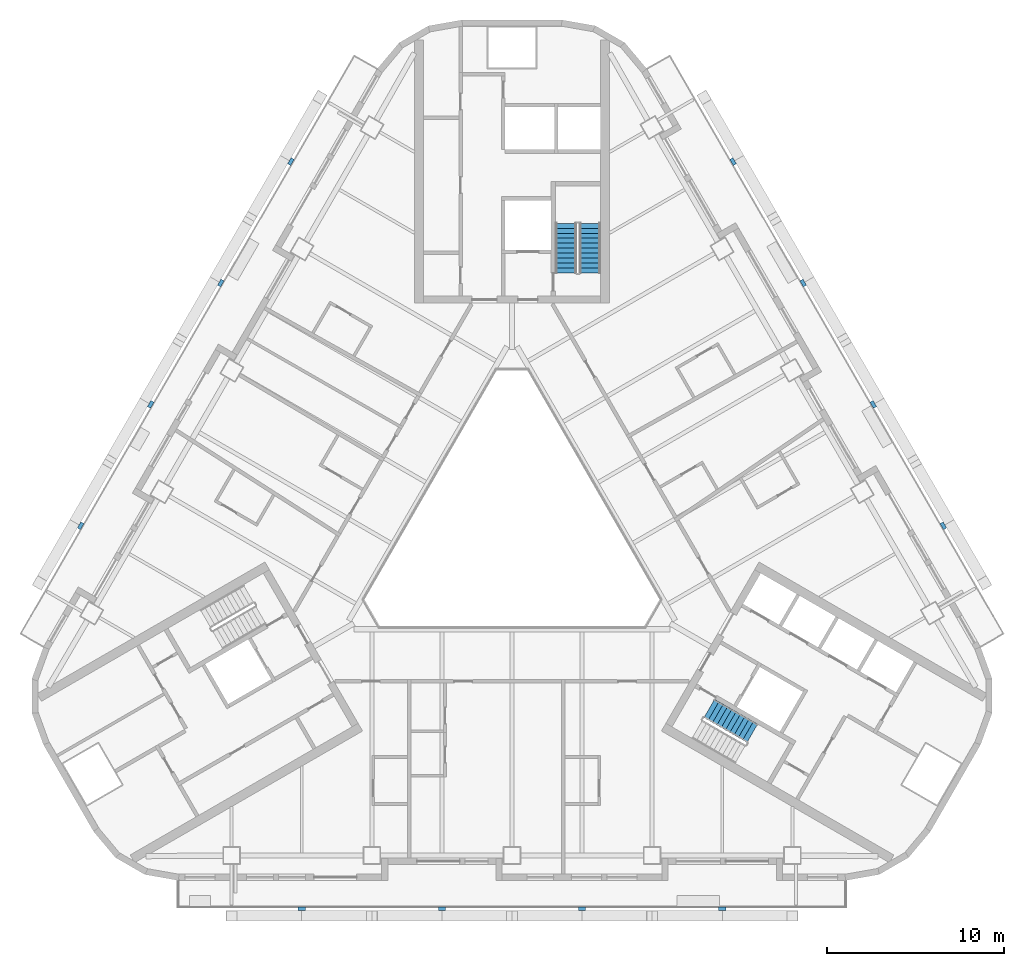
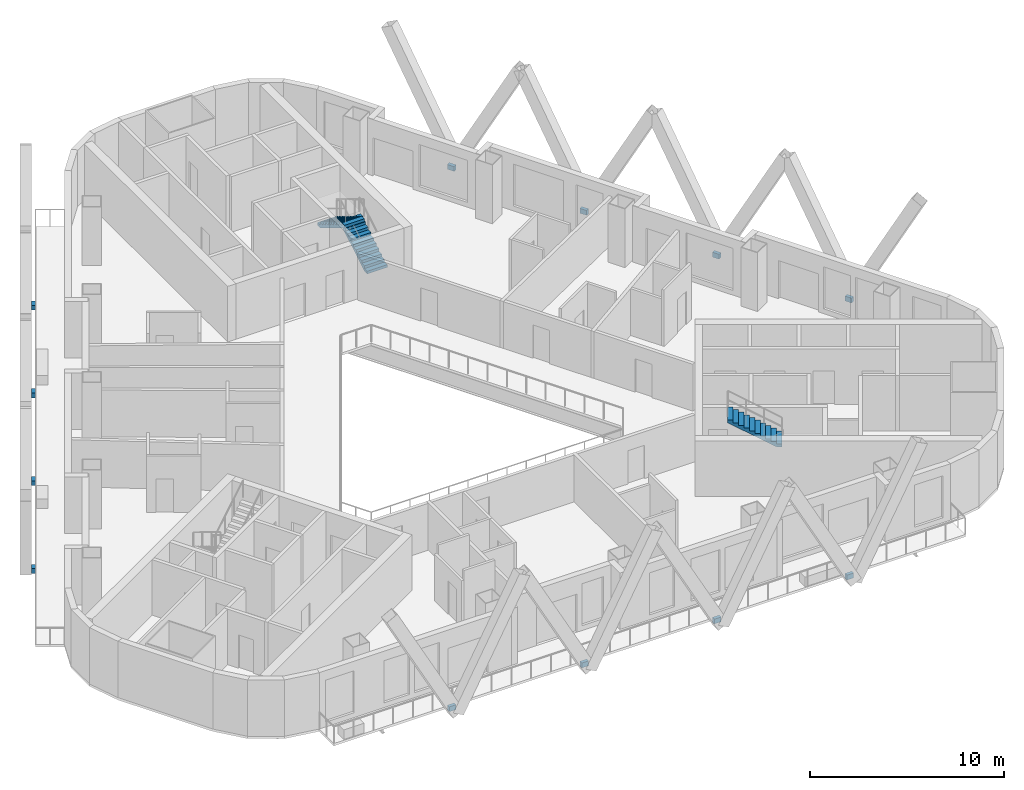
# One storey, part 8 of 14: 12 discrete accessories, 3 stair flights, 2 elements without a shape of their own.
"""IFC4 building model written with IfcOpenShell, lengths in metres."""

from ifc_helpers import new_model, si_unit, direction, frame, origin, origin_2d, place, context, subcontext, project, spatial, polyline, rectangle, outline, extrude, material, type_object, element, aggregate, save


model = new_model("IFC4")

# Units and contexts
model_context = context("Model", 3, precision=1e-05, world=origin(), true_north=direction((0.0, 1.0)))
body_context = subcontext(model_context, "Body", "Model", "MODEL_VIEW")
ifc_project = project(units=[si_unit("LENGTHUNIT", "METRE"), si_unit("AREAUNIT", "SQUARE_METRE"), si_unit("VOLUMEUNIT", "CUBIC_METRE"), si_unit("PLANEANGLEUNIT", "RADIAN"), si_unit("MASSUNIT", "GRAM", prefix="KILO")], contexts=[model_context])

# Site, building, storey
site_placement = place(None, origin())
site = spatial("IfcSite", under=ifc_project, at=site_placement, CompositionType="ELEMENT")
building_placement = place(site_placement, origin())
building = spatial("IfcBuilding", under=site, at=building_placement, Name="Apuvela Tower Hotel", CompositionType="ELEMENT")
storey_placement = place(building_placement, frame((0.0, 0.0, 53.89990234375)))
storey = spatial("IfcBuildingStorey", under=building, at=storey_placement, Name="L10", CompositionType="ELEMENT", Elevation=53.89990234375)

# Stair, stair flights
ifc_material_1 = material(Name="Concrete C50/60", Category="concrete")
stair_type = type_object("IfcStairType", Name="COR-STAIR-22R", PredefinedType="HALF_TURN_STAIR", material=ifc_material_1)
stair_1_placement = place(storey_placement, origin())
stair_1 = element("IfcStair", 1, at=stair_1_placement, inside=storey, type_object=stair_type, Name="L10 Exit stair ST1", PredefinedType="HALF_TURN_STAIR")
stair_flight_type = type_object("IfcStairFlightType", Name="COR-FLIGHT-11R", PredefinedType="STRAIGHT", material=ifc_material_1)
stair_flight_1_placement = place(storey_placement, frame((4.39990234375, 14.60009765625, 0.0), z_axis=(0.0, 0.0, 1.0), x_axis=(0.0, 1.0, 0.0)))
stair_flight_1 = element("IfcStairFlight", 2, at=stair_flight_1_placement, type_object=stair_flight_type, Name="ST1 flight 1", NumberOfRisers=11, NumberOfTreads=10, PredefinedType="STRAIGHT", RiserHeight=0.168181818, TreadLength=0.28, context=body_context, shape_type="SweptSolid", body=[
    extrude(outline(polyline([(0.0, 0.0), (0.0, 0.168212890625), (0.280029296875, 0.168212890625), (0.280029296875, 0.33642578125), (0.56005859375, 0.33642578125), (0.56005859375, 0.504638671875), (0.840087890625, 0.504638671875), (0.840087890625, 0.672607421875), (1.1201171875, 0.672607421875), (1.1201171875, 0.8408203125), (1.39990234375, 0.8408203125), (1.39990234375, 1.009033203125), (1.679931640625, 1.009033203125), (1.679931640625, 1.17724609375), (1.9599609375, 1.17724609375), (1.9599609375, 1.345458984375), (2.239990234375, 1.345458984375), (2.239990234375, 1.513671875), (2.52001953125, 1.513671875), (2.52001953125, 1.681884765625), (2.800048828125, 1.681884765625), (2.800048828125, 1.85009765625), (2.800048828125, 1.5068359375), (0.291015625, 0.0), (0.0, 0.0)])), frame((0.0, 0.60009765625, 0.0), z_axis=(0.0, -1.0, 0.0), x_axis=(1.0, 0.0, 0.0)), (0.0, 0.0, 1.0), 1.199951171875),
])
stair_flight_2_placement = place(storey_placement, frame((3.050048828125, 17.39990234375, 1.85009765625), z_axis=(0.0, 0.0, 1.0), x_axis=(0.0, -1.0, 0.0)))
stair_flight_2 = element("IfcStairFlight", 3, at=stair_flight_2_placement, type_object=stair_flight_type, Name="ST1 flight 2", NumberOfRisers=11, NumberOfTreads=10, PredefinedType="STRAIGHT", RiserHeight=0.168181818, TreadLength=0.28, context=body_context, shape_type="SweptSolid", body=[
    extrude(outline(polyline([(0.0, 0.0), (0.0, 0.168212890625), (0.280029296875, 0.168212890625), (0.280029296875, 0.33642578125), (0.56005859375, 0.33642578125), (0.56005859375, 0.504638671875), (0.840087890625, 0.504638671875), (0.840087890625, 0.672607421875), (1.1201171875, 0.672607421875), (1.1201171875, 0.8408203125), (1.39990234375, 0.8408203125), (1.39990234375, 1.009033203125), (1.679931640625, 1.009033203125), (1.679931640625, 1.17724609375), (1.9599609375, 1.17724609375), (1.9599609375, 1.345458984375), (2.239990234375, 1.345458984375), (2.239990234375, 1.513671875), (2.52001953125, 1.513671875), (2.52001953125, 1.681884765625), (2.800048828125, 1.681884765625), (2.800048828125, 1.85009765625), (2.800048828125, 1.5068359375), (0.291015625, 0.0), (0.0, 0.0)])), frame((0.0, 0.60009765625, 0.0), z_axis=(0.0, -1.0, 0.0), x_axis=(1.0, 0.0, 0.0)), (0.0, 0.0, 1.0), 1.199951171875),
])
aggregate(stair_1, [stair_flight_1, stair_flight_2])

# Stair, stair flight
stair_2_placement = place(storey_placement, origin())
stair_2 = element("IfcStair", 4, at=stair_2_placement, inside=storey, type_object=stair_type, Name="L10 Exit stair ST3", PredefinedType="HALF_TURN_STAIR")
stair_flight_3_placement = place(storey_placement, frame((13.5439453125, -11.34130859375, 1.85009765625), z_axis=(0.0, 0.0, 1.0), x_axis=(-0.866025403784, 0.5, 0.0)))
stair_flight_3 = element("IfcStairFlight", 5, at=stair_flight_3_placement, type_object=stair_flight_type, Name="ST3 flight 2", NumberOfRisers=11, NumberOfTreads=10, PredefinedType="STRAIGHT", RiserHeight=0.168181818, TreadLength=0.28, context=body_context, shape_type="SweptSolid", body=[
    extrude(outline(polyline([(0.0, 0.0), (0.0, 0.168212890625), (0.280029296875, 0.168212890625), (0.280029296875, 0.33642578125), (0.56005859375, 0.33642578125), (0.56005859375, 0.504638671875), (0.840087890625, 0.504638671875), (0.840087890625, 0.672607421875), (1.1201171875, 0.672607421875), (1.1201171875, 0.8408203125), (1.39990234375, 0.8408203125), (1.39990234375, 1.009033203125), (1.679931640625, 1.009033203125), (1.679931640625, 1.17724609375), (1.9599609375, 1.17724609375), (1.9599609375, 1.345458984375), (2.239990234375, 1.345458984375), (2.239990234375, 1.513671875), (2.52001953125, 1.513671875), (2.52001953125, 1.681884765625), (2.800048828125, 1.681884765625), (2.800048828125, 1.85009765625), (2.800048828125, 1.5068359375), (0.291015625, 0.0), (0.0, 0.0)])), frame((0.0, 0.60009765625, 0.0), z_axis=(0.0, -1.0, 0.0), x_axis=(1.0, 0.0, 0.0)), (0.0, 0.0, 1.0), 1.199951171875),
])
aggregate(stair_2, [stair_flight_3])

# Discrete accessories
ifc_material_2 = material(Name="Steel S355, black paint system", Category="steel")
discrete_accessory_type = type_object("IfcDiscreteAccessoryType", Name="ENV-FIN-BRACKET", PredefinedType="BRACKET", material=ifc_material_2)
for number, where, z_axis, x_axis, name in (
    (6, (24.310791015625, 0.3525390625, -0.25), (0.0, 0.0, 1.0), (-0.5, 0.866025403784, 0.0), "Fin bracket NE6"),
    (7, (20.360595703125, 7.194091796875, -0.25), (0.0, 0.0, 1.0), (-0.5, 0.866025403784, 0.0), "Fin bracket NE7"),
    (8, (16.41064453125, 14.035888671875, -0.25), (0.0, 0.0, 1.0), (-0.5, 0.866025403784, 0.0), "Fin bracket NE8"),
    (9, (12.460693359375, 20.87744140625, -0.25), (0.0, 0.0, 1.0), (-0.5, 0.866025403784, 0.0), "Fin bracket NE9"),
    (10, (-12.460693359375, 20.87744140625, -0.25), (0.0, 0.0, 1.0), (-0.5, -0.866025403784, 0.0), "Fin bracket NW155"),
    (11, (-16.41064453125, 14.035888671875, -0.25), (0.0, 0.0, 1.0), (-0.5, -0.866025403784, 0.0), "Fin bracket NW156"),
    (12, (-20.360595703125, 7.194091796875, -0.25), (0.0, 0.0, 1.0), (-0.5, -0.866025403784, 0.0), "Fin bracket NW157"),
    (13, (-24.310791015625, 0.3525390625, -0.25), (0.0, 0.0, 1.0), (-0.5, -0.866025403784, 0.0), "Fin bracket NW158"),
    (14, (-11.85009765625, -21.22998046875, -0.25), (0.0, 0.0, 1.0), (1.0, 0.0, 0.0), "Fin bracket S305"),
    (15, (-3.949951171875, -21.22998046875, -0.25), (0.0, 0.0, 1.0), (1.0, 0.0, 0.0), "Fin bracket S306"),
    (16, (3.949951171875, -21.22998046875, -0.25), (0.0, 0.0, 1.0), (1.0, 0.0, 0.0), "Fin bracket S307"),
    (17, (11.85009765625, -21.22998046875, -0.25), (0.0, 0.0, 1.0), (1.0, 0.0, 0.0), "Fin bracket S308"),
):
    element("IfcDiscreteAccessory", number, at=place(storey_placement, frame(where, z_axis=z_axis, x_axis=x_axis)), inside=storey, type_object=discrete_accessory_type, Name=name, PredefinedType="BRACKET", context=body_context, shape_type="SweptSolid", body=[
        extrude(rectangle(XDim=0.39990234375, YDim=0.199951171875, at=origin_2d()), origin(), (0.0, 0.0, 1.0), 0.300048828125),
    ])

save(model, "model.ifc")
